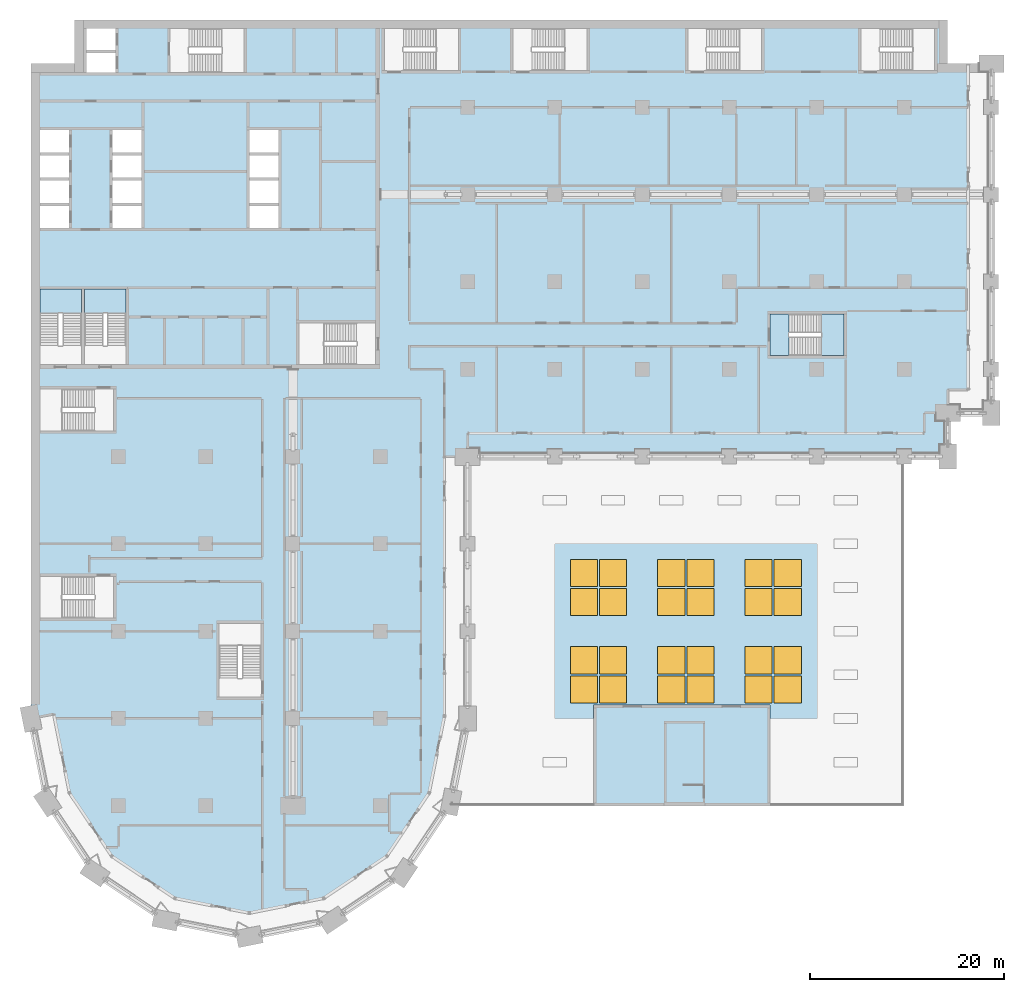
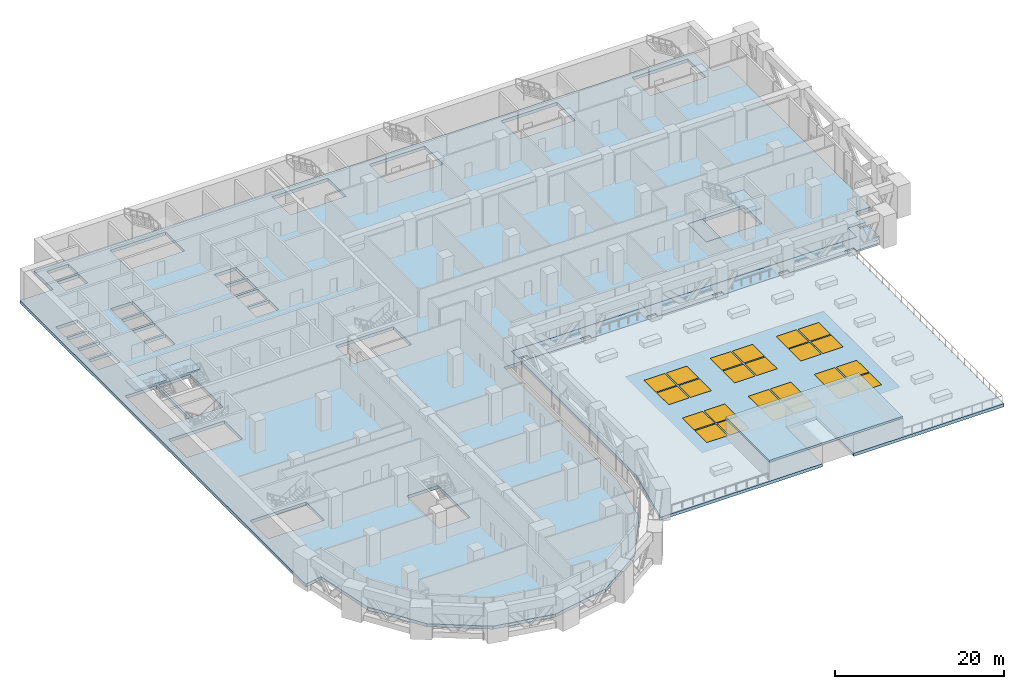
# One storey, part 8 of 31: 24 windows, 8 slabs, 24 openings, 3 elements without a shape of their own.
"""IFC4 building model written with IfcOpenShell, lengths in metres."""

from ifc_helpers import new_model, si_unit, direction, frame, origin, origin_2d, place, context, subcontext, project, spatial, polyline, rectangle, outline, extrude, material, layer, layer_set, type_object, element, fill, aggregate, save


model = new_model("IFC4")

# Units and contexts
model_context = context("Model", 3, precision=1e-05, world=origin(), true_north=direction((0.0, 1.0)))
body_context = subcontext(model_context, "Body", "Model", "MODEL_VIEW")
ifc_project = project(units=[si_unit("LENGTHUNIT", "METRE"), si_unit("AREAUNIT", "SQUARE_METRE"), si_unit("VOLUMEUNIT", "CUBIC_METRE"), si_unit("PLANEANGLEUNIT", "RADIAN"), si_unit("MASSUNIT", "GRAM", prefix="KILO")], contexts=[model_context])

# Site, building, storey
site_placement = place(None, origin())
site = spatial("IfcSite", under=ifc_project, at=site_placement, CompositionType="ELEMENT")
building_placement = place(site_placement, origin())
building = spatial("IfcBuilding", under=site, at=building_placement, Name="Hunhe Ridgeline Campus", CompositionType="ELEMENT")
storey_placement = place(building_placement, frame((0.0, 0.0, 31.199951171875)))
storey = spatial("IfcBuildingStorey", under=building, at=storey_placement, Name="L06", CompositionType="ELEMENT", Elevation=31.199951171875)

# Slabs
ifc_material_1 = material(Name="Concrete C40", Category="concrete")
ifc_layer_1 = layer(ifc_material_1, 0.449951171875)
ifc_layer_set_1 = layer_set([ifc_layer_1], Name="Floor slab 450 Concrete C40")
slab_type_1 = type_object("IfcSlabType", Name="Floor slab 450 Concrete C40", PredefinedType="FLOOR", material=ifc_layer_set_1)
slab_1_placement = place(storey_placement, frame((0.0, 0.0, -0.449951171875)))
element("IfcSlab", 1, at=slab_1_placement, inside=storey, type_object=slab_type_1, Name="Floor slab L06 1", PredefinedType="FLOOR", context=body_context, shape_type="SweptSolid", body=[
    extrude(outline(polyline([(4.5, 94.5), (0.0, 94.5), (0.0, 27.0009765625), (2.354736328125, 27.46875), (3.974365234375, 19.326416015625), (8.321044921875, 12.821044921875), (14.826416015625, 8.474365234375), (22.5, 6.947998046875), (30.173583984375, 8.474365234375), (36.678955078125, 12.821044921875), (41.025634765625, 19.326416015625), (42.59912109375, 27.236572265625), (42.59912109375, 54.0), (44.9990234375, 54.0009765625), (44.99951171875, 56.40087890625), (92.09912109375, 56.40087890625), (92.099365234375, 58.500732421875), (94.4990234375, 58.5009765625), (94.499267578125, 60.900634765625), (96.59912109375, 60.90087890625), (96.59912109375, 94.5), (94.5, 94.5), (94.5, 99.0), (4.5, 99.0), (4.5, 94.5)]), holes=[polyline([(93.14990234375, 93.800048828125), (93.14990234375, 98.10009765625), (85.550048828125, 98.10009765625), (85.550048828125, 93.800048828125), (93.14990234375, 93.800048828125)]), polyline([(76.199951171875, 68.699951171875), (76.199951171875, 64.39990234375), (83.800048828125, 64.39990234375), (83.800048828125, 68.699951171875), (76.199951171875, 68.699951171875)]), polyline([(75.300048828125, 98.10009765625), (67.699951171875, 98.10009765625), (67.699951171875, 93.800048828125), (75.300048828125, 93.800048828125), (75.300048828125, 98.10009765625)]), polyline([(49.699951171875, 98.10009765625), (49.699951171875, 93.800048828125), (57.300048828125, 93.800048828125), (57.300048828125, 98.10009765625), (49.699951171875, 98.10009765625)]), polyline([(36.449951171875, 93.800048828125), (44.050048828125, 93.800048828125), (44.050048828125, 98.10009765625), (36.449951171875, 98.10009765625), (36.449951171875, 93.800048828125)]), polyline([(35.5, 63.5), (35.5, 67.75), (27.60009765625, 67.75), (27.60009765625, 63.5), (35.5, 63.5)]), polyline([(25.5, 80.14990234375), (25.5, 82.449951171875), (22.5, 82.449951171875), (22.5, 80.14990234375), (25.5, 80.14990234375)]), polyline([(25.5, 79.85009765625), (22.5, 79.85009765625), (22.5, 77.550048828125), (25.5, 77.550048828125), (25.5, 79.85009765625)]), polyline([(22.5, 87.64990234375), (22.5, 85.35009765625), (25.5, 85.35009765625), (25.5, 87.64990234375), (22.5, 87.64990234375)]), polyline([(22.5, 82.75), (25.5, 82.75), (25.5, 85.050048828125), (22.5, 85.050048828125), (22.5, 82.75)]), polyline([(23.699951171875, 29.199951171875), (23.699951171875, 36.800048828125), (19.39990234375, 36.800048828125), (19.39990234375, 29.199951171875), (23.699951171875, 29.199951171875)]), polyline([(14.35009765625, 93.60009765625), (21.949951171875, 93.60009765625), (21.949951171875, 98.10009765625), (14.35009765625, 98.10009765625), (14.35009765625, 93.60009765625)]), polyline([(11.39990234375, 79.85009765625), (8.39990234375, 79.85009765625), (8.39990234375, 77.550048828125), (11.39990234375, 77.550048828125), (11.39990234375, 79.85009765625)]), polyline([(11.39990234375, 80.14990234375), (11.39990234375, 82.449951171875), (8.39990234375, 82.449951171875), (8.39990234375, 80.14990234375), (11.39990234375, 80.14990234375)]), polyline([(8.39990234375, 87.64990234375), (8.39990234375, 85.35009765625), (11.39990234375, 85.35009765625), (11.39990234375, 87.64990234375), (8.39990234375, 87.64990234375)]), polyline([(8.39990234375, 82.75), (11.39990234375, 82.75), (11.39990234375, 85.050048828125), (8.39990234375, 85.050048828125), (8.39990234375, 82.75)]), polyline([(9.800048828125, 71.25), (5.5, 71.25), (5.5, 63.5), (9.800048828125, 63.5), (9.800048828125, 71.25)]), polyline([(8.699951171875, 95.89990234375), (8.699951171875, 98.10009765625), (5.699951171875, 98.10009765625), (5.699951171875, 95.89990234375), (8.699951171875, 95.89990234375)]), polyline([(8.699951171875, 95.60009765625), (5.699951171875, 95.60009765625), (5.699951171875, 93.60009765625), (8.699951171875, 93.60009765625), (8.699951171875, 95.60009765625)]), polyline([(0.89990234375, 37.35009765625), (8.5, 37.35009765625), (8.5, 41.64990234375), (0.89990234375, 41.64990234375), (0.89990234375, 37.35009765625)]), polyline([(0.89990234375, 60.949951171875), (0.89990234375, 56.64990234375), (8.5, 56.64990234375), (8.5, 60.949951171875), (0.89990234375, 60.949951171875)]), polyline([(0.89990234375, 71.25), (0.89990234375, 63.5), (5.199951171875, 63.5), (5.199951171875, 71.25), (0.89990234375, 71.25)]), polyline([(3.89990234375, 80.14990234375), (3.89990234375, 82.449951171875), (0.89990234375, 82.449951171875), (0.89990234375, 80.14990234375), (3.89990234375, 80.14990234375)]), polyline([(3.89990234375, 79.85009765625), (0.89990234375, 79.85009765625), (0.89990234375, 77.550048828125), (3.89990234375, 77.550048828125), (3.89990234375, 79.85009765625)]), polyline([(0.89990234375, 87.64990234375), (0.89990234375, 85.35009765625), (3.89990234375, 85.35009765625), (3.89990234375, 87.64990234375), (0.89990234375, 87.64990234375)]), polyline([(0.89990234375, 82.75), (3.89990234375, 82.75), (3.89990234375, 85.050048828125), (0.89990234375, 85.050048828125), (0.89990234375, 82.75)])]), origin(), (0.0, 0.0, 1.0), 0.449951171875),
])
ifc_layer_2 = layer(ifc_material_1, 0.25)
ifc_layer_set_2 = layer_set([ifc_layer_2], Name="Loggia slab 250 Concrete C40")
slab_type_2 = type_object("IfcSlabType", Name="Loggia slab 250 Concrete C40", PredefinedType="FLOOR", material=ifc_layer_set_2)
slab_2_placement = place(storey_placement, frame((0.0, 0.0, -0.25)))
element("IfcSlab", 2, at=slab_2_placement, inside=storey, type_object=slab_type_2, Name="Loggia slab 2", PredefinedType="FLOOR", context=body_context, shape_type="SweptSolid", body=[
    extrude(outline(polyline([(45.0, 54.800048828125), (46.199951171875, 54.800048828125), (46.199951171875, 54.0), (53.35009765625, 54.0), (53.35009765625, 54.64990234375), (54.64990234375, 54.64990234375), (54.64990234375, 54.0), (62.35009765625, 54.0), (62.35009765625, 54.64990234375), (63.64990234375, 54.64990234375), (63.64990234375, 54.0), (71.35009765625, 54.0), (71.35009765625, 54.64990234375), (72.64990234375, 54.64990234375), (72.64990234375, 54.0), (80.35009765625, 54.0), (80.35009765625, 54.64990234375), (81.64990234375, 54.64990234375), (81.64990234375, 54.0), (89.35009765625, 54.0), (89.35009765625, 54.64990234375), (90.64990234375, 54.64990234375), (90.64990234375, 54.0), (93.699951171875, 54.0), (93.699951171875, 55.199951171875), (94.5, 55.199951171875), (94.5, 57.699951171875), (93.300048828125, 57.699951171875), (93.300048828125, 58.5), (92.10009765625, 58.5), (92.10009765625, 56.39990234375), (45.0, 56.39990234375), (45.0, 54.800048828125)])), origin(), (0.0, 0.0, 1.0), 0.25),
])

# Slab, openings, windows
ifc_layer_3 = layer(ifc_material_1, 0.39990234375)
ifc_layer_set_3 = layer_set([ifc_layer_3], Name="Podium roof terrace slab C40")
slab_type_3 = type_object("IfcSlabType", Name="Podium roof terrace slab C40", PredefinedType="ROOF", material=ifc_layer_set_3)
slab_3_placement = place(storey_placement, frame((0.0, 0.0, -0.449951171875)))
slab_3 = element("IfcSlab", 3, at=slab_3_placement, inside=storey, type_object=slab_type_3, Name="Podium roof terrace slab", PredefinedType="ROOF", context=body_context, shape_type="SweptSolid", body=[
    extrude(outline(polyline([(90.0, 18.0), (90.0, 54.0), (45.0, 54.0), (45.0, 27.0), (43.287353515625, 18.3896484375), (43.027099609375, 18.0), (90.0, 18.0)]), holes=[polyline([(69.5, 18.0), (69.5, 26.75), (65.25, 26.75), (65.25, 18.0), (69.5, 18.0)])]), origin(), (0.0, 0.0, 1.0), 0.449951171875),
])
opening_1_placement = place(slab_3_placement, frame((57.0, 30.0, 0.0)))
opening_1 = element("IfcOpeningElement", 4, at=opening_1_placement, cuts=slab_3, Name="Opening SKY-01", PredefinedType="OPENING", context=body_context, shape_type="SweptSolid", body=[
    extrude(rectangle(XDim=2.800048828125, YDim=2.800048828125, at=origin_2d()), origin(), (0.0, 0.0, 1.0), 0.449951171875),
])
opening_2_placement = place(slab_3_placement, frame((57.0, 33.0, 0.0)))
opening_2 = element("IfcOpeningElement", 5, at=opening_2_placement, cuts=slab_3, Name="Opening SKY-02", PredefinedType="OPENING", context=body_context, shape_type="SweptSolid", body=[
    extrude(rectangle(XDim=2.800048828125, YDim=2.800048828125, at=origin_2d()), origin(), (0.0, 0.0, 1.0), 0.449951171875),
])
opening_3_placement = place(slab_3_placement, frame((60.0, 30.0, 0.0)))
opening_3 = element("IfcOpeningElement", 6, at=opening_3_placement, cuts=slab_3, Name="Opening SKY-03", PredefinedType="OPENING", context=body_context, shape_type="SweptSolid", body=[
    extrude(rectangle(XDim=2.800048828125, YDim=2.800048828125, at=origin_2d()), origin(), (0.0, 0.0, 1.0), 0.449951171875),
])
opening_4_placement = place(slab_3_placement, frame((60.0, 33.0, 0.0)))
opening_4 = element("IfcOpeningElement", 7, at=opening_4_placement, cuts=slab_3, Name="Opening SKY-04", PredefinedType="OPENING", context=body_context, shape_type="SweptSolid", body=[
    extrude(rectangle(XDim=2.800048828125, YDim=2.800048828125, at=origin_2d()), origin(), (0.0, 0.0, 1.0), 0.449951171875),
])
opening_5_placement = place(slab_3_placement, frame((57.0, 39.0, 0.0)))
opening_5 = element("IfcOpeningElement", 8, at=opening_5_placement, cuts=slab_3, Name="Opening SKY-05", PredefinedType="OPENING", context=body_context, shape_type="SweptSolid", body=[
    extrude(rectangle(XDim=2.800048828125, YDim=2.800048828125, at=origin_2d()), origin(), (0.0, 0.0, 1.0), 0.449951171875),
])
opening_6_placement = place(slab_3_placement, frame((57.0, 42.0, 0.0)))
opening_6 = element("IfcOpeningElement", 9, at=opening_6_placement, cuts=slab_3, Name="Opening SKY-06", PredefinedType="OPENING", context=body_context, shape_type="SweptSolid", body=[
    extrude(rectangle(XDim=2.800048828125, YDim=2.800048828125, at=origin_2d()), origin(), (0.0, 0.0, 1.0), 0.449951171875),
])
opening_7_placement = place(slab_3_placement, frame((60.0, 39.0, 0.0)))
opening_7 = element("IfcOpeningElement", 10, at=opening_7_placement, cuts=slab_3, Name="Opening SKY-07", PredefinedType="OPENING", context=body_context, shape_type="SweptSolid", body=[
    extrude(rectangle(XDim=2.800048828125, YDim=2.800048828125, at=origin_2d()), origin(), (0.0, 0.0, 1.0), 0.449951171875),
])
opening_8_placement = place(slab_3_placement, frame((60.0, 42.0, 0.0)))
opening_8 = element("IfcOpeningElement", 11, at=opening_8_placement, cuts=slab_3, Name="Opening SKY-08", PredefinedType="OPENING", context=body_context, shape_type="SweptSolid", body=[
    extrude(rectangle(XDim=2.800048828125, YDim=2.800048828125, at=origin_2d()), origin(), (0.0, 0.0, 1.0), 0.449951171875),
])
opening_9_placement = place(slab_3_placement, frame((66.0, 30.0, 0.0)))
opening_9 = element("IfcOpeningElement", 12, at=opening_9_placement, cuts=slab_3, Name="Opening SKY-09", PredefinedType="OPENING", context=body_context, shape_type="SweptSolid", body=[
    extrude(rectangle(XDim=2.800048828125, YDim=2.800048828125, at=origin_2d()), origin(), (0.0, 0.0, 1.0), 0.449951171875),
])
opening_10_placement = place(slab_3_placement, frame((66.0, 33.0, 0.0)))
opening_10 = element("IfcOpeningElement", 13, at=opening_10_placement, cuts=slab_3, Name="Opening SKY-10", PredefinedType="OPENING", context=body_context, shape_type="SweptSolid", body=[
    extrude(rectangle(XDim=2.800048828125, YDim=2.800048828125, at=origin_2d()), origin(), (0.0, 0.0, 1.0), 0.449951171875),
])
opening_11_placement = place(slab_3_placement, frame((69.0, 30.0, 0.0)))
opening_11 = element("IfcOpeningElement", 14, at=opening_11_placement, cuts=slab_3, Name="Opening SKY-11", PredefinedType="OPENING", context=body_context, shape_type="SweptSolid", body=[
    extrude(rectangle(XDim=2.800048828125, YDim=2.800048828125, at=origin_2d()), origin(), (0.0, 0.0, 1.0), 0.449951171875),
])
opening_12_placement = place(slab_3_placement, frame((69.0, 33.0, 0.0)))
opening_12 = element("IfcOpeningElement", 15, at=opening_12_placement, cuts=slab_3, Name="Opening SKY-12", PredefinedType="OPENING", context=body_context, shape_type="SweptSolid", body=[
    extrude(rectangle(XDim=2.800048828125, YDim=2.800048828125, at=origin_2d()), origin(), (0.0, 0.0, 1.0), 0.449951171875),
])
opening_13_placement = place(slab_3_placement, frame((66.0, 39.0, 0.0)))
opening_13 = element("IfcOpeningElement", 16, at=opening_13_placement, cuts=slab_3, Name="Opening SKY-13", PredefinedType="OPENING", context=body_context, shape_type="SweptSolid", body=[
    extrude(rectangle(XDim=2.800048828125, YDim=2.800048828125, at=origin_2d()), origin(), (0.0, 0.0, 1.0), 0.449951171875),
])
opening_14_placement = place(slab_3_placement, frame((66.0, 42.0, 0.0)))
opening_14 = element("IfcOpeningElement", 17, at=opening_14_placement, cuts=slab_3, Name="Opening SKY-14", PredefinedType="OPENING", context=body_context, shape_type="SweptSolid", body=[
    extrude(rectangle(XDim=2.800048828125, YDim=2.800048828125, at=origin_2d()), origin(), (0.0, 0.0, 1.0), 0.449951171875),
])
opening_15_placement = place(slab_3_placement, frame((69.0, 39.0, 0.0)))
opening_15 = element("IfcOpeningElement", 18, at=opening_15_placement, cuts=slab_3, Name="Opening SKY-15", PredefinedType="OPENING", context=body_context, shape_type="SweptSolid", body=[
    extrude(rectangle(XDim=2.800048828125, YDim=2.800048828125, at=origin_2d()), origin(), (0.0, 0.0, 1.0), 0.449951171875),
])
opening_16_placement = place(slab_3_placement, frame((69.0, 42.0, 0.0)))
opening_16 = element("IfcOpeningElement", 19, at=opening_16_placement, cuts=slab_3, Name="Opening SKY-16", PredefinedType="OPENING", context=body_context, shape_type="SweptSolid", body=[
    extrude(rectangle(XDim=2.800048828125, YDim=2.800048828125, at=origin_2d()), origin(), (0.0, 0.0, 1.0), 0.449951171875),
])
opening_17_placement = place(slab_3_placement, frame((75.0, 30.0, 0.0)))
opening_17 = element("IfcOpeningElement", 20, at=opening_17_placement, cuts=slab_3, Name="Opening SKY-17", PredefinedType="OPENING", context=body_context, shape_type="SweptSolid", body=[
    extrude(rectangle(XDim=2.800048828125, YDim=2.800048828125, at=origin_2d()), origin(), (0.0, 0.0, 1.0), 0.449951171875),
])
opening_18_placement = place(slab_3_placement, frame((75.0, 33.0, 0.0)))
opening_18 = element("IfcOpeningElement", 21, at=opening_18_placement, cuts=slab_3, Name="Opening SKY-18", PredefinedType="OPENING", context=body_context, shape_type="SweptSolid", body=[
    extrude(rectangle(XDim=2.800048828125, YDim=2.800048828125, at=origin_2d()), origin(), (0.0, 0.0, 1.0), 0.449951171875),
])
opening_19_placement = place(slab_3_placement, frame((78.0, 30.0, 0.0)))
opening_19 = element("IfcOpeningElement", 22, at=opening_19_placement, cuts=slab_3, Name="Opening SKY-19", PredefinedType="OPENING", context=body_context, shape_type="SweptSolid", body=[
    extrude(rectangle(XDim=2.800048828125, YDim=2.800048828125, at=origin_2d()), origin(), (0.0, 0.0, 1.0), 0.449951171875),
])
opening_20_placement = place(slab_3_placement, frame((78.0, 33.0, 0.0)))
opening_20 = element("IfcOpeningElement", 23, at=opening_20_placement, cuts=slab_3, Name="Opening SKY-20", PredefinedType="OPENING", context=body_context, shape_type="SweptSolid", body=[
    extrude(rectangle(XDim=2.800048828125, YDim=2.800048828125, at=origin_2d()), origin(), (0.0, 0.0, 1.0), 0.449951171875),
])
opening_21_placement = place(slab_3_placement, frame((75.0, 39.0, 0.0)))
opening_21 = element("IfcOpeningElement", 24, at=opening_21_placement, cuts=slab_3, Name="Opening SKY-21", PredefinedType="OPENING", context=body_context, shape_type="SweptSolid", body=[
    extrude(rectangle(XDim=2.800048828125, YDim=2.800048828125, at=origin_2d()), origin(), (0.0, 0.0, 1.0), 0.449951171875),
])
opening_22_placement = place(slab_3_placement, frame((75.0, 42.0, 0.0)))
opening_22 = element("IfcOpeningElement", 25, at=opening_22_placement, cuts=slab_3, Name="Opening SKY-22", PredefinedType="OPENING", context=body_context, shape_type="SweptSolid", body=[
    extrude(rectangle(XDim=2.800048828125, YDim=2.800048828125, at=origin_2d()), origin(), (0.0, 0.0, 1.0), 0.449951171875),
])
opening_23_placement = place(slab_3_placement, frame((78.0, 39.0, 0.0)))
opening_23 = element("IfcOpeningElement", 26, at=opening_23_placement, cuts=slab_3, Name="Opening SKY-23", PredefinedType="OPENING", context=body_context, shape_type="SweptSolid", body=[
    extrude(rectangle(XDim=2.800048828125, YDim=2.800048828125, at=origin_2d()), origin(), (0.0, 0.0, 1.0), 0.449951171875),
])
opening_24_placement = place(slab_3_placement, frame((78.0, 42.0, 0.0)))
opening_24 = element("IfcOpeningElement", 27, at=opening_24_placement, cuts=slab_3, Name="Opening SKY-24", PredefinedType="OPENING", context=body_context, shape_type="SweptSolid", body=[
    extrude(rectangle(XDim=2.800048828125, YDim=2.800048828125, at=origin_2d()), origin(), (0.0, 0.0, 1.0), 0.449951171875),
])
ifc_material_2 = material(Name="Clear glass", Category="glass")
window_type = type_object("IfcWindowType", Name="Library rooflight pane 2800x2800", PartitioningType="SINGLE_PANEL", PredefinedType="SKYLIGHT", material=ifc_material_2)
window_1_placement = place(opening_1_placement, frame((0.0, 0.0, 0.39990234375)))
window_1 = element("IfcWindow", 28, at=window_1_placement, inside=storey, type_object=window_type, Name="Library reading hall skylight", OverallHeight=2.800048828125, OverallWidth=2.800048828125, PartitioningType="SINGLE_PANEL", PredefinedType="SKYLIGHT", context=body_context, shape_type="SweptSolid", body=[
    extrude(rectangle(XDim=2.800048828125, YDim=2.800048828125, at=origin_2d()), origin(), (0.0, 0.0, 1.0), 0.050048828125),
])
fill(opening_1, window_1)
window_2_placement = place(opening_2_placement, frame((0.0, 0.0, 0.39990234375)))
window_2 = element("IfcWindow", 29, at=window_2_placement, inside=storey, type_object=window_type, Name="Library reading hall skylight", OverallHeight=2.800048828125, OverallWidth=2.800048828125, PartitioningType="SINGLE_PANEL", PredefinedType="SKYLIGHT", context=body_context, shape_type="SweptSolid", body=[
    extrude(rectangle(XDim=2.800048828125, YDim=2.800048828125, at=origin_2d()), origin(), (0.0, 0.0, 1.0), 0.050048828125),
])
fill(opening_2, window_2)
window_3_placement = place(opening_3_placement, frame((0.0, 0.0, 0.39990234375)))
window_3 = element("IfcWindow", 30, at=window_3_placement, inside=storey, type_object=window_type, Name="Library reading hall skylight", OverallHeight=2.800048828125, OverallWidth=2.800048828125, PartitioningType="SINGLE_PANEL", PredefinedType="SKYLIGHT", context=body_context, shape_type="SweptSolid", body=[
    extrude(rectangle(XDim=2.800048828125, YDim=2.800048828125, at=origin_2d()), origin(), (0.0, 0.0, 1.0), 0.050048828125),
])
fill(opening_3, window_3)
window_4_placement = place(opening_4_placement, frame((0.0, 0.0, 0.39990234375)))
window_4 = element("IfcWindow", 31, at=window_4_placement, inside=storey, type_object=window_type, Name="Library reading hall skylight", OverallHeight=2.800048828125, OverallWidth=2.800048828125, PartitioningType="SINGLE_PANEL", PredefinedType="SKYLIGHT", context=body_context, shape_type="SweptSolid", body=[
    extrude(rectangle(XDim=2.800048828125, YDim=2.800048828125, at=origin_2d()), origin(), (0.0, 0.0, 1.0), 0.050048828125),
])
fill(opening_4, window_4)
window_5_placement = place(opening_5_placement, frame((0.0, 0.0, 0.39990234375)))
window_5 = element("IfcWindow", 32, at=window_5_placement, inside=storey, type_object=window_type, Name="Library reading hall skylight", OverallHeight=2.800048828125, OverallWidth=2.800048828125, PartitioningType="SINGLE_PANEL", PredefinedType="SKYLIGHT", context=body_context, shape_type="SweptSolid", body=[
    extrude(rectangle(XDim=2.800048828125, YDim=2.800048828125, at=origin_2d()), origin(), (0.0, 0.0, 1.0), 0.050048828125),
])
fill(opening_5, window_5)
window_6_placement = place(opening_6_placement, frame((0.0, 0.0, 0.39990234375)))
window_6 = element("IfcWindow", 33, at=window_6_placement, inside=storey, type_object=window_type, Name="Library reading hall skylight", OverallHeight=2.800048828125, OverallWidth=2.800048828125, PartitioningType="SINGLE_PANEL", PredefinedType="SKYLIGHT", context=body_context, shape_type="SweptSolid", body=[
    extrude(rectangle(XDim=2.800048828125, YDim=2.800048828125, at=origin_2d()), origin(), (0.0, 0.0, 1.0), 0.050048828125),
])
fill(opening_6, window_6)
window_7_placement = place(opening_7_placement, frame((0.0, 0.0, 0.39990234375)))
window_7 = element("IfcWindow", 34, at=window_7_placement, inside=storey, type_object=window_type, Name="Library reading hall skylight", OverallHeight=2.800048828125, OverallWidth=2.800048828125, PartitioningType="SINGLE_PANEL", PredefinedType="SKYLIGHT", context=body_context, shape_type="SweptSolid", body=[
    extrude(rectangle(XDim=2.800048828125, YDim=2.800048828125, at=origin_2d()), origin(), (0.0, 0.0, 1.0), 0.050048828125),
])
fill(opening_7, window_7)
window_8_placement = place(opening_8_placement, frame((0.0, 0.0, 0.39990234375)))
window_8 = element("IfcWindow", 35, at=window_8_placement, inside=storey, type_object=window_type, Name="Library reading hall skylight", OverallHeight=2.800048828125, OverallWidth=2.800048828125, PartitioningType="SINGLE_PANEL", PredefinedType="SKYLIGHT", context=body_context, shape_type="SweptSolid", body=[
    extrude(rectangle(XDim=2.800048828125, YDim=2.800048828125, at=origin_2d()), origin(), (0.0, 0.0, 1.0), 0.050048828125),
])
fill(opening_8, window_8)
window_9_placement = place(opening_9_placement, frame((0.0, 0.0, 0.39990234375)))
window_9 = element("IfcWindow", 36, at=window_9_placement, inside=storey, type_object=window_type, Name="Library reading hall skylight", OverallHeight=2.800048828125, OverallWidth=2.800048828125, PartitioningType="SINGLE_PANEL", PredefinedType="SKYLIGHT", context=body_context, shape_type="SweptSolid", body=[
    extrude(rectangle(XDim=2.800048828125, YDim=2.800048828125, at=origin_2d()), origin(), (0.0, 0.0, 1.0), 0.050048828125),
])
fill(opening_9, window_9)
window_10_placement = place(opening_10_placement, frame((0.0, 0.0, 0.39990234375)))
window_10 = element("IfcWindow", 37, at=window_10_placement, inside=storey, type_object=window_type, Name="Library reading hall skylight", OverallHeight=2.800048828125, OverallWidth=2.800048828125, PartitioningType="SINGLE_PANEL", PredefinedType="SKYLIGHT", context=body_context, shape_type="SweptSolid", body=[
    extrude(rectangle(XDim=2.800048828125, YDim=2.800048828125, at=origin_2d()), origin(), (0.0, 0.0, 1.0), 0.050048828125),
])
fill(opening_10, window_10)
window_11_placement = place(opening_11_placement, frame((0.0, 0.0, 0.39990234375)))
window_11 = element("IfcWindow", 38, at=window_11_placement, inside=storey, type_object=window_type, Name="Library reading hall skylight", OverallHeight=2.800048828125, OverallWidth=2.800048828125, PartitioningType="SINGLE_PANEL", PredefinedType="SKYLIGHT", context=body_context, shape_type="SweptSolid", body=[
    extrude(rectangle(XDim=2.800048828125, YDim=2.800048828125, at=origin_2d()), origin(), (0.0, 0.0, 1.0), 0.050048828125),
])
fill(opening_11, window_11)
window_12_placement = place(opening_12_placement, frame((0.0, 0.0, 0.39990234375)))
window_12 = element("IfcWindow", 39, at=window_12_placement, inside=storey, type_object=window_type, Name="Library reading hall skylight", OverallHeight=2.800048828125, OverallWidth=2.800048828125, PartitioningType="SINGLE_PANEL", PredefinedType="SKYLIGHT", context=body_context, shape_type="SweptSolid", body=[
    extrude(rectangle(XDim=2.800048828125, YDim=2.800048828125, at=origin_2d()), origin(), (0.0, 0.0, 1.0), 0.050048828125),
])
fill(opening_12, window_12)
window_13_placement = place(opening_13_placement, frame((0.0, 0.0, 0.39990234375)))
window_13 = element("IfcWindow", 40, at=window_13_placement, inside=storey, type_object=window_type, Name="Library reading hall skylight", OverallHeight=2.800048828125, OverallWidth=2.800048828125, PartitioningType="SINGLE_PANEL", PredefinedType="SKYLIGHT", context=body_context, shape_type="SweptSolid", body=[
    extrude(rectangle(XDim=2.800048828125, YDim=2.800048828125, at=origin_2d()), origin(), (0.0, 0.0, 1.0), 0.050048828125),
])
fill(opening_13, window_13)
window_14_placement = place(opening_14_placement, frame((0.0, 0.0, 0.39990234375)))
window_14 = element("IfcWindow", 41, at=window_14_placement, inside=storey, type_object=window_type, Name="Library reading hall skylight", OverallHeight=2.800048828125, OverallWidth=2.800048828125, PartitioningType="SINGLE_PANEL", PredefinedType="SKYLIGHT", context=body_context, shape_type="SweptSolid", body=[
    extrude(rectangle(XDim=2.800048828125, YDim=2.800048828125, at=origin_2d()), origin(), (0.0, 0.0, 1.0), 0.050048828125),
])
fill(opening_14, window_14)
window_15_placement = place(opening_15_placement, frame((0.0, 0.0, 0.39990234375)))
window_15 = element("IfcWindow", 42, at=window_15_placement, inside=storey, type_object=window_type, Name="Library reading hall skylight", OverallHeight=2.800048828125, OverallWidth=2.800048828125, PartitioningType="SINGLE_PANEL", PredefinedType="SKYLIGHT", context=body_context, shape_type="SweptSolid", body=[
    extrude(rectangle(XDim=2.800048828125, YDim=2.800048828125, at=origin_2d()), origin(), (0.0, 0.0, 1.0), 0.050048828125),
])
fill(opening_15, window_15)
window_16_placement = place(opening_16_placement, frame((0.0, 0.0, 0.39990234375)))
window_16 = element("IfcWindow", 43, at=window_16_placement, inside=storey, type_object=window_type, Name="Library reading hall skylight", OverallHeight=2.800048828125, OverallWidth=2.800048828125, PartitioningType="SINGLE_PANEL", PredefinedType="SKYLIGHT", context=body_context, shape_type="SweptSolid", body=[
    extrude(rectangle(XDim=2.800048828125, YDim=2.800048828125, at=origin_2d()), origin(), (0.0, 0.0, 1.0), 0.050048828125),
])
fill(opening_16, window_16)
window_17_placement = place(opening_17_placement, frame((0.0, 0.0, 0.39990234375)))
window_17 = element("IfcWindow", 44, at=window_17_placement, inside=storey, type_object=window_type, Name="Library reading hall skylight", OverallHeight=2.800048828125, OverallWidth=2.800048828125, PartitioningType="SINGLE_PANEL", PredefinedType="SKYLIGHT", context=body_context, shape_type="SweptSolid", body=[
    extrude(rectangle(XDim=2.800048828125, YDim=2.800048828125, at=origin_2d()), origin(), (0.0, 0.0, 1.0), 0.050048828125),
])
fill(opening_17, window_17)
window_18_placement = place(opening_18_placement, frame((0.0, 0.0, 0.39990234375)))
window_18 = element("IfcWindow", 45, at=window_18_placement, inside=storey, type_object=window_type, Name="Library reading hall skylight", OverallHeight=2.800048828125, OverallWidth=2.800048828125, PartitioningType="SINGLE_PANEL", PredefinedType="SKYLIGHT", context=body_context, shape_type="SweptSolid", body=[
    extrude(rectangle(XDim=2.800048828125, YDim=2.800048828125, at=origin_2d()), origin(), (0.0, 0.0, 1.0), 0.050048828125),
])
fill(opening_18, window_18)
window_19_placement = place(opening_19_placement, frame((0.0, 0.0, 0.39990234375)))
window_19 = element("IfcWindow", 46, at=window_19_placement, inside=storey, type_object=window_type, Name="Library reading hall skylight", OverallHeight=2.800048828125, OverallWidth=2.800048828125, PartitioningType="SINGLE_PANEL", PredefinedType="SKYLIGHT", context=body_context, shape_type="SweptSolid", body=[
    extrude(rectangle(XDim=2.800048828125, YDim=2.800048828125, at=origin_2d()), origin(), (0.0, 0.0, 1.0), 0.050048828125),
])
fill(opening_19, window_19)
window_20_placement = place(opening_20_placement, frame((0.0, 0.0, 0.39990234375)))
window_20 = element("IfcWindow", 47, at=window_20_placement, inside=storey, type_object=window_type, Name="Library reading hall skylight", OverallHeight=2.800048828125, OverallWidth=2.800048828125, PartitioningType="SINGLE_PANEL", PredefinedType="SKYLIGHT", context=body_context, shape_type="SweptSolid", body=[
    extrude(rectangle(XDim=2.800048828125, YDim=2.800048828125, at=origin_2d()), origin(), (0.0, 0.0, 1.0), 0.050048828125),
])
fill(opening_20, window_20)
window_21_placement = place(opening_21_placement, frame((0.0, 0.0, 0.39990234375)))
window_21 = element("IfcWindow", 48, at=window_21_placement, inside=storey, type_object=window_type, Name="Library reading hall skylight", OverallHeight=2.800048828125, OverallWidth=2.800048828125, PartitioningType="SINGLE_PANEL", PredefinedType="SKYLIGHT", context=body_context, shape_type="SweptSolid", body=[
    extrude(rectangle(XDim=2.800048828125, YDim=2.800048828125, at=origin_2d()), origin(), (0.0, 0.0, 1.0), 0.050048828125),
])
fill(opening_21, window_21)
window_22_placement = place(opening_22_placement, frame((0.0, 0.0, 0.39990234375)))
window_22 = element("IfcWindow", 49, at=window_22_placement, inside=storey, type_object=window_type, Name="Library reading hall skylight", OverallHeight=2.800048828125, OverallWidth=2.800048828125, PartitioningType="SINGLE_PANEL", PredefinedType="SKYLIGHT", context=body_context, shape_type="SweptSolid", body=[
    extrude(rectangle(XDim=2.800048828125, YDim=2.800048828125, at=origin_2d()), origin(), (0.0, 0.0, 1.0), 0.050048828125),
])
fill(opening_22, window_22)
window_23_placement = place(opening_23_placement, frame((0.0, 0.0, 0.39990234375)))
window_23 = element("IfcWindow", 50, at=window_23_placement, inside=storey, type_object=window_type, Name="Library reading hall skylight", OverallHeight=2.800048828125, OverallWidth=2.800048828125, PartitioningType="SINGLE_PANEL", PredefinedType="SKYLIGHT", context=body_context, shape_type="SweptSolid", body=[
    extrude(rectangle(XDim=2.800048828125, YDim=2.800048828125, at=origin_2d()), origin(), (0.0, 0.0, 1.0), 0.050048828125),
])
fill(opening_23, window_23)
window_24_placement = place(opening_24_placement, frame((0.0, 0.0, 0.39990234375)))
window_24 = element("IfcWindow", 51, at=window_24_placement, inside=storey, type_object=window_type, Name="Library reading hall skylight", OverallHeight=2.800048828125, OverallWidth=2.800048828125, PartitioningType="SINGLE_PANEL", PredefinedType="SKYLIGHT", context=body_context, shape_type="SweptSolid", body=[
    extrude(rectangle(XDim=2.800048828125, YDim=2.800048828125, at=origin_2d()), origin(), (0.0, 0.0, 1.0), 0.050048828125),
])
fill(opening_24, window_24)

# Stair, slab
stair_type = type_object("IfcStairType", Name="Reinforced concrete dog-leg stair 1950 Concrete C40", PredefinedType="HALF_TURN_STAIR", material=ifc_material_1)
stair_1_placement = place(storey_placement, origin())
stair_1 = element("IfcStair", 52, at=stair_1_placement, inside=storey, type_object=stair_type, Name="L06 S3", PredefinedType="HALF_TURN_STAIR")
ifc_layer_4 = layer(ifc_material_1, 0.199951171875)
ifc_layer_set_4 = layer_set([ifc_layer_4], Name="Reinforced concrete stair landing 200 Concrete C40")
slab_type_4 = type_object("IfcSlabType", Name="Reinforced concrete stair landing 200 Concrete C40", PredefinedType="LANDING", material=ifc_layer_set_4)
slab_4_placement = place(storey_placement, frame((0.0, 0.0, 2.10009765625)))
slab_4 = element("IfcSlab", 53, at=slab_4_placement, type_object=slab_type_4, Name="ST3 landing 1", PredefinedType="LANDING", context=body_context, shape_type="SweptSolid", body=[
    extrude(outline(polyline([(5.199951171875, 68.81005859375), (5.199951171875, 71.25), (0.89990234375, 71.25), (0.89990234375, 68.81005859375), (5.199951171875, 68.81005859375)])), origin(), (0.0, 0.0, 1.0), 0.199951171875),
])
aggregate(stair_1, [slab_4])

stair_2_placement = place(storey_placement, origin())
stair_2 = element("IfcStair", 54, at=stair_2_placement, inside=storey, type_object=stair_type, Name="L06 S4", PredefinedType="HALF_TURN_STAIR")
slab_5_placement = place(storey_placement, frame((0.0, 0.0, 2.10009765625)))
slab_5 = element("IfcSlab", 55, at=slab_5_placement, type_object=slab_type_4, Name="ST4 landing 1", PredefinedType="LANDING", context=body_context, shape_type="SweptSolid", body=[
    extrude(outline(polyline([(9.800048828125, 68.81005859375), (9.800048828125, 71.25), (5.5, 71.25), (5.5, 68.81005859375), (9.800048828125, 68.81005859375)])), origin(), (0.0, 0.0, 1.0), 0.199951171875),
])
aggregate(stair_2, [slab_5])

stair_3_placement = place(storey_placement, origin())
stair_3 = element("IfcStair", 56, at=stair_3_placement, inside=storey, type_object=stair_type, Name="L06 E5", PredefinedType="HALF_TURN_STAIR")
slab_6_placement = place(storey_placement, frame((0.0, 0.0, 2.10009765625)))
slab_6 = element("IfcSlab", 57, at=slab_6_placement, type_object=slab_type_4, Name="ST10 landing 1", PredefinedType="LANDING", context=body_context, shape_type="SweptSolid", body=[
    extrude(outline(polyline([(81.510009765625, 64.39990234375), (83.800048828125, 64.39990234375), (83.800048828125, 68.699951171875), (81.510009765625, 68.699951171875), (81.510009765625, 64.39990234375)])), origin(), (0.0, 0.0, 1.0), 0.199951171875),
])
aggregate(stair_3, [slab_6])

# Slabs
slab_7_placement = place(storey_placement, frame((0.0, 0.0, -0.199951171875)))
element("IfcSlab", 58, at=slab_7_placement, inside=storey, type_object=slab_type_4, Name="L06 stair E5 floor landing", PredefinedType="LANDING", context=body_context, shape_type="SweptSolid", body=[
    extrude(outline(polyline([(76.199951171875, 64.39990234375), (78.14990234375, 64.39990234375), (78.14990234375, 68.699951171875), (76.199951171875, 68.699951171875), (76.199951171875, 64.39990234375)])), origin(), (0.0, 0.0, 1.0), 0.199951171875),
])
ifc_layer_5 = layer(ifc_material_1, 0.300048828125)
ifc_layer_set_5 = layer_set([ifc_layer_5], Name="Roof pavilion slab 300 C40")
slab_type_5 = type_object("IfcSlabType", Name="Roof pavilion slab 300 C40", PredefinedType="ROOF", material=ifc_layer_set_5)
slab_8_placement = place(storey_placement, frame((0.0, 0.0, 2.699951171875)))
element("IfcSlab", 59, at=slab_8_placement, inside=storey, type_object=slab_type_5, Name="Roof pavilion slab", PredefinedType="ROOF", context=body_context, shape_type="SweptSolid", body=[
    extrude(outline(polyline([(58.0, 18.0), (76.199951171875, 18.0), (76.199951171875, 28.39990234375), (58.0, 28.39990234375), (58.0, 18.0)])), origin(), (0.0, 0.0, 1.0), 0.300048828125),
])

save(model, "model.ifc")
